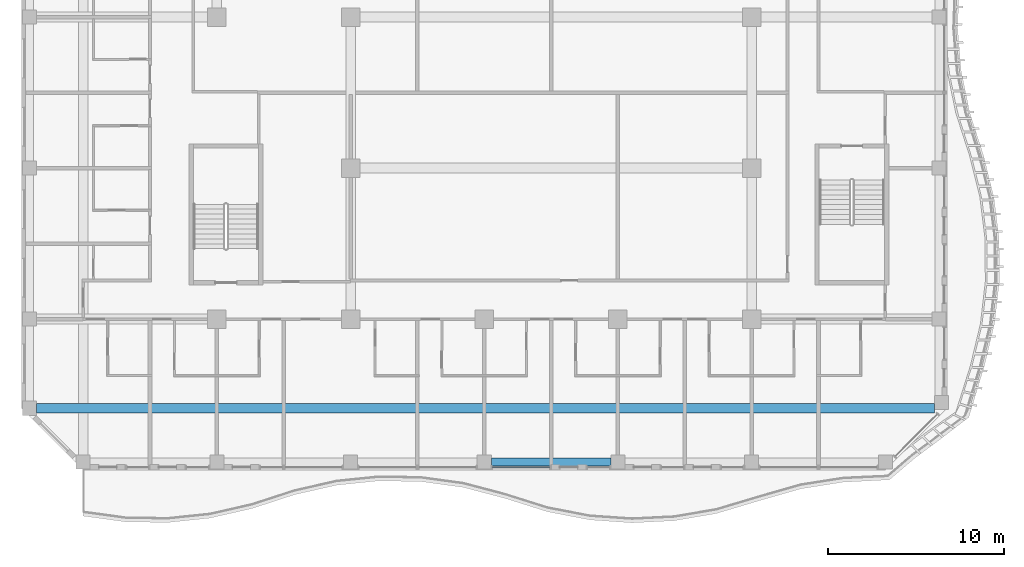
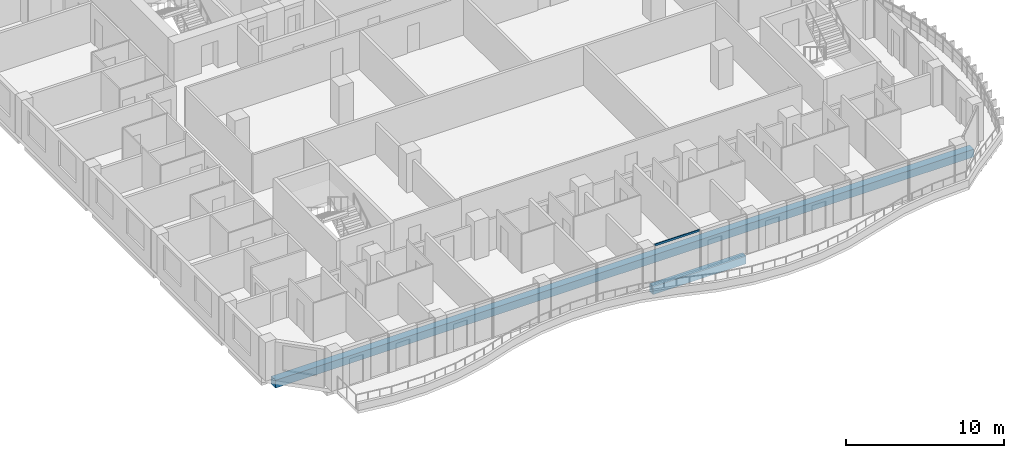
# One storey, part 3 of 24: 2 beams, 1 member, 1 element without a shape of its own.
"""IFC4 building model written with IfcOpenShell, lengths in metres."""

from ifc_helpers import new_model, si_unit, direction, frame, origin, origin_2d, place, context, subcontext, project, spatial, rectangle, extrude, source, transform, mapped, material, material_profile, profile_set, type_object, element, aggregate, save


model = new_model("IFC4")

# Units and contexts
model_context = context("Model", 3, precision=1e-05, world=origin(), true_north=direction((0.0, 1.0)))
body_context = subcontext(model_context, "Body", "Model", "MODEL_VIEW")
ifc_project = project(units=[si_unit("LENGTHUNIT", "METRE"), si_unit("AREAUNIT", "SQUARE_METRE"), si_unit("VOLUMEUNIT", "CUBIC_METRE"), si_unit("PLANEANGLEUNIT", "RADIAN"), si_unit("MASSUNIT", "GRAM", prefix="KILO")], contexts=[model_context])

# Site, building, storey
site_placement = place(None, origin())
site = spatial("IfcSite", under=ifc_project, at=site_placement, CompositionType="ELEMENT")
building_placement = place(site_placement, origin())
building = spatial("IfcBuilding", under=site, at=building_placement, Name="Kilnfold Tower and Market Hall", CompositionType="ELEMENT")
storey_placement = place(building_placement, frame((0.0, 0.0, 192.300048828125)))
storey = spatial("IfcBuildingStorey", under=building, at=storey_placement, Name="L46", CompositionType="ELEMENT", Elevation=192.300048828125)

# Beams
ifc_material_1 = material(Name="Concrete C45", Category="concrete")
ifc_material_profile_1 = material_profile(ifc_material_1, rectangle(XDim=0.449951171875, YDim=0.60009765625, at=origin_2d()), Name="RC 450x600")
ifc_profile_set_1 = profile_set([ifc_material_profile_1], Name="Concrete C45")
beam_type_1 = type_object("IfcBeamType", Name="EDGE BEAM 450X600 C45", PredefinedType="BEAM", material=ifc_profile_set_1)
shared_shape_1 = source(origin(), body_context, "Body", "SweptSolid", [
    extrude(rectangle(XDim=0.449951171875, YDim=0.60009765625, at=origin_2d()), origin(), (0.0, 0.0, 1.0), 6.783447265625),
])
beam_1_placement = place(storey_placement, frame((-0.60009765625, -25.800048828125, -0.580078125), z_axis=(1.0, 0.0, 0.0), x_axis=(0.0, 1.0, 0.0)))
element("IfcBeam", 1, at=beam_1_placement, inside=storey, type_object=beam_type_1, Name="Beam EB600-B5.48", PredefinedType="BEAM", context=body_context, shape_type="MappedRepresentation", body=[
    mapped(shared_shape_1, transform((0.0, 0.0, 0.0))),
])
ifc_material_2 = material(Name="Concrete C45", Category="concrete")
ifc_material_profile_2 = material_profile(ifc_material_2, rectangle(XDim=0.550048828125, YDim=0.60009765625, at=origin_2d()), Name="RC 550x600")
ifc_profile_set_2 = profile_set([ifc_material_profile_2], Name="Concrete C45")
beam_type_2 = type_object("IfcBeamType", Name="BEAM 550X600 C45", PredefinedType="BEAM", material=ifc_profile_set_2)
shared_shape_2 = source(origin(), body_context, "Body", "SweptSolid", [
    extrude(rectangle(XDim=0.550048828125, YDim=0.60009765625, at=origin_2d()), origin(), (0.0, 0.0, 1.0), 50.931640625),
])
beam_2_placement = place(storey_placement, frame((-26.39990234375, -22.75, -0.580078125), z_axis=(1.0, 0.0, 0.0), x_axis=(0.0, 1.0, 0.0)))
element("IfcBeam", 2, at=beam_2_placement, inside=storey, type_object=beam_type_2, Name="Beam BB600-B5.51", PredefinedType="BEAM", context=body_context, shape_type="MappedRepresentation", body=[
    mapped(shared_shape_2, transform((0.0, 0.0, 0.0))),
])

# Curtain wall, member
ifc_material_3 = material(Name="Aluminium and double glazing", Category="aluminium")
curtain_wall_type = type_object("IfcCurtainWallType", Name="CW GARDEN HOTEL WINTER GARDEN", PredefinedType="NOTDEFINED", material=ifc_material_3)
curtain_wall_placement = place(storey_placement, origin())
curtain_wall = element("IfcCurtainWall", 3, at=curtain_wall_placement, inside=storey, type_object=curtain_wall_type, Name="Curtain wall CW5 L46 S", PredefinedType="NOTDEFINED")
ifc_material_4 = material(Name="Aluminium", Category="aluminium")
ifc_material_profile_3 = material_profile(ifc_material_4, rectangle(XDim=0.06494140625, YDim=0.14990234375, at=origin_2d()), Name="TRANSOM 65x150")
ifc_profile_set_3 = profile_set([ifc_material_profile_3], Name="Aluminium")
member_type = type_object("IfcMemberType", Name="TRANSOM 65X150", PredefinedType="USERDEFINED", material=ifc_profile_set_3)
shared_shape_3 = source(origin(), body_context, "Body", "SweptSolid", [
    extrude(rectangle(XDim=0.06494140625, YDim=0.14990234375, at=origin_2d()), origin(), (0.0, 0.0, 1.0), 3.261474609375),
])
member_placement = place(storey_placement, frame((-0.534912109375, -26.10009765625, 2.967529296875), z_axis=(1.0, 0.0, 0.0), x_axis=(0.0, 1.0, 0.0)))
member = element("IfcMember", 4, at=member_placement, type_object=member_type, Name="CW5 transom 1.2", ObjectType="TRANSOM", PredefinedType="USERDEFINED", context=body_context, shape_type="MappedRepresentation", body=[
    mapped(shared_shape_3, transform((0.0, 0.0, 0.0))),
])
aggregate(curtain_wall, [member])

save(model, "model.ifc")
